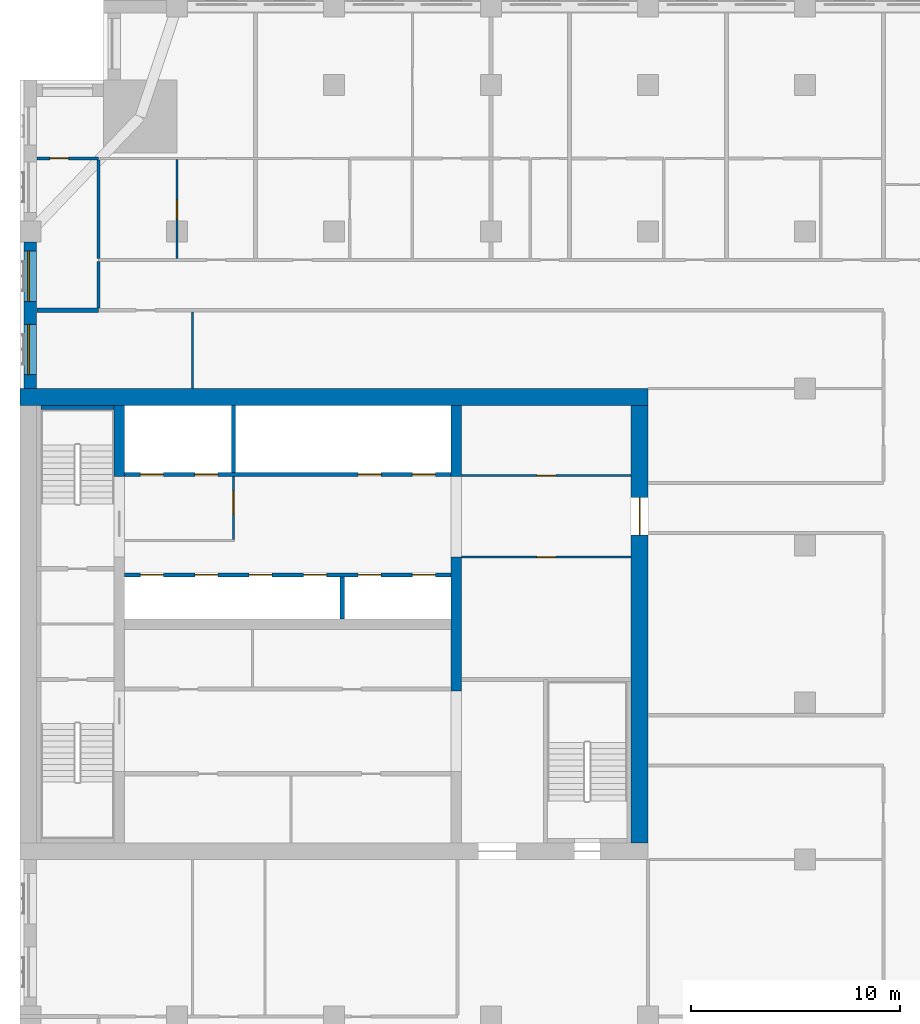
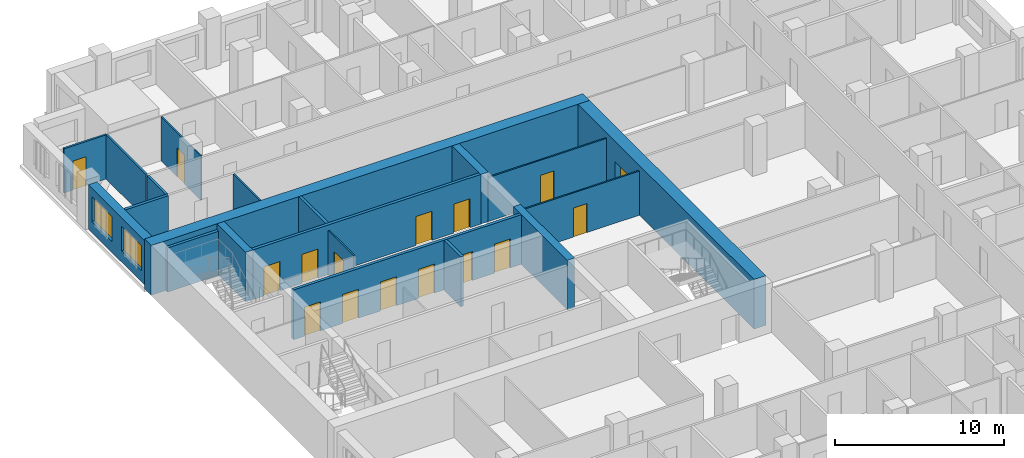
# One storey, part 8 of 14: 20 walls, 16 doors, 2 windows, 18 openings.
"""IFC4 building model written with IfcOpenShell, lengths in metres."""

from ifc_helpers import new_model, si_unit, direction, frame, frame_2d, origin, place, context, subcontext, project, spatial, rectangle, extrude, material, layer, layer_set, type_object, element, fill, save


model = new_model("IFC4")

# Units and contexts
model_context = context("Model", 3, precision=1e-05, world=origin(), true_north=direction((0.0, 1.0)))
body_context = subcontext(model_context, "Body", "Model", "MODEL_VIEW")
ifc_project = project(units=[si_unit("LENGTHUNIT", "METRE"), si_unit("AREAUNIT", "SQUARE_METRE"), si_unit("VOLUMEUNIT", "CUBIC_METRE"), si_unit("PLANEANGLEUNIT", "RADIAN"), si_unit("MASSUNIT", "GRAM", prefix="KILO")], contexts=[model_context])

# Site, building, storey
site_placement = place(None, origin())
site = spatial("IfcSite", under=ifc_project, at=site_placement, CompositionType="ELEMENT")
building_placement = place(site_placement, origin())
building = spatial("IfcBuilding", under=site, at=building_placement, Name="Tamorin Gate", CompositionType="ELEMENT")
storey_placement = place(building_placement, frame((0.0, 0.0, 162.60009765625)))
storey = spatial("IfcBuildingStorey", under=building, at=storey_placement, Name="L40", CompositionType="ELEMENT", Elevation=162.60009765625)

# Wall, openings, windows
ifc_material_1 = material(Name="Precast concrete C40/50", Category="concrete")
ifc_layer_1 = layer(ifc_material_1, 0.60009765625)
ifc_layer_set_1 = layer_set([ifc_layer_1], Name="Precast concrete C40/50")
wall_type_1 = type_object("IfcWallType", Name="Board-marked concrete facade panel 600", PredefinedType="SOLIDWALL", material=ifc_layer_set_1)
wall_1_placement = place(storey_placement, frame((30.5, 89.5, 0.0), z_axis=(0.0, 0.0, 1.0), x_axis=(0.0, -1.0, 0.0)))
wall_1 = element("IfcWall", 1, at=wall_1_placement, inside=storey, type_object=wall_type_1, Name="Facade panel", PredefinedType="SOLIDWALL", context=body_context, shape_type="SweptSolid", body=[
    extrude(rectangle(XDim=7.0, YDim=0.60009765625, at=frame_2d((3.5, 0.0))), origin(), (0.0, 0.0, 1.0), 3.199951171875),
])
opening_1_placement = place(wall_1_placement, frame((3.925048828125, 0.0, 0.800048828125)))
opening_1 = element("IfcOpeningElement", 2, at=opening_1_placement, cuts=wall_1, Name="Opening WN1", PredefinedType="OPENING", context=body_context, shape_type="SweptSolid", body=[
    extrude(rectangle(XDim=2.39990234375, YDim=1.800048828125, at=frame_2d((1.199951171875, 0.89990234375))), frame((0.0, 0.31005859375, 0.0), z_axis=(0.0, -1.0, 0.0), x_axis=(1.0, 0.0, 0.0)), (0.0, 0.0, 1.0), 0.6201171875),
])
opening_2_placement = place(wall_1_placement, frame((0.425048828125, 0.0, 0.800048828125)))
opening_2 = element("IfcOpeningElement", 3, at=opening_2_placement, cuts=wall_1, Name="Opening WN1", PredefinedType="OPENING", context=body_context, shape_type="SweptSolid", body=[
    extrude(rectangle(XDim=2.39990234375, YDim=1.800048828125, at=frame_2d((1.199951171875, 0.89990234375))), frame((0.0, 0.31005859375, 0.0), z_axis=(0.0, -1.0, 0.0), x_axis=(1.0, 0.0, 0.0)), (0.0, 0.0, 1.0), 0.6201171875),
])
ifc_material_2 = material(Name="Clear glass in aluminium frame", Category="aluminium")
window_type = type_object("IfcWindowType", Name="Deep-set window 2400x1800", PartitioningType="SINGLE_PANEL", PredefinedType="WINDOW", material=ifc_material_2)
window_1_placement = place(opening_1_placement, origin())
window_1 = element("IfcWindow", 4, at=window_1_placement, inside=storey, type_object=window_type, Name="Deep-set window", OverallHeight=1.800048828125, OverallWidth=2.39990234375, PartitioningType="SINGLE_PANEL", PredefinedType="WINDOW", context=body_context, shape_type="SweptSolid", body=[
    extrude(rectangle(XDim=2.39990234375, YDim=1.800048828125, at=frame_2d((1.199951171875, 0.89990234375))), frame((0.0, -0.070068359375, 0.0), z_axis=(0.0, -1.0, 0.0), x_axis=(1.0, 0.0, 0.0)), (0.0, 0.0, 1.0), 0.06005859375),
])
fill(opening_1, window_1)
window_2_placement = place(opening_2_placement, origin())
window_2 = element("IfcWindow", 5, at=window_2_placement, inside=storey, type_object=window_type, Name="Deep-set window", OverallHeight=1.800048828125, OverallWidth=2.39990234375, PartitioningType="SINGLE_PANEL", PredefinedType="WINDOW", context=body_context, shape_type="SweptSolid", body=[
    extrude(rectangle(XDim=2.39990234375, YDim=1.800048828125, at=frame_2d((1.199951171875, 0.89990234375))), frame((0.0, -0.070068359375, 0.0), z_axis=(0.0, -1.0, 0.0), x_axis=(1.0, 0.0, 0.0)), (0.0, 0.0, 1.0), 0.06005859375),
])
fill(opening_2, window_2)

# Walls
ifc_material_3 = material(Name="Gypsum board partition")
ifc_layer_2 = layer(ifc_material_3, 0.14990234375)
ifc_layer_set_2 = layer_set([ifc_layer_2], Name="Corridor wall 150")
wall_type_2 = type_object("IfcWallType", Name="Corridor wall 150", PredefinedType="PARTITIONING", material=ifc_layer_set_2)
wall_2_placement = place(storey_placement, frame((33.75, 86.35009765625, 0.0), z_axis=(0.0, 0.0, 1.0), x_axis=(0.0, 1.0, 0.0)))
element("IfcWall", 6, at=wall_2_placement, inside=storey, type_object=wall_type_2, Name="Corridor wall 150", PredefinedType="PARTITIONING", context=body_context, shape_type="SweptSolid", body=[
    extrude(rectangle(XDim=2.224853515625, YDim=0.14990234375, at=frame_2d((1.1123046875, 0.0))), origin(), (0.0, 0.0, 1.0), 3.199951171875),
])
ifc_layer_3 = layer(ifc_material_3, 0.199951171875)
ifc_layer_set_3 = layer_set([ifc_layer_3], Name="Demising wall 200")
wall_type_3 = type_object("IfcWallType", Name="Demising wall 200", PredefinedType="PARTITIONING", material=ifc_layer_set_3)
wall_3_placement = place(storey_placement, frame((30.81005859375, 86.25, 0.0), z_axis=(0.0, 0.0, 1.0), x_axis=(1.0, 0.0, 0.0)))
element("IfcWall", 7, at=wall_3_placement, inside=storey, type_object=wall_type_3, Name="Demising wall 200", PredefinedType="PARTITIONING", context=body_context, shape_type="SweptSolid", body=[
    extrude(rectangle(XDim=2.93994140625, YDim=0.199951171875, at=frame_2d((1.469970703125, 0.0))), origin(), (0.0, 0.0, 1.0), 3.199951171875),
])

# Wall, openings, doors
ifc_material_4 = material(Name="Concrete C32/40", Category="concrete")
ifc_layer_4 = layer(ifc_material_4, 0.199951171875)
ifc_layer_set_4 = layer_set([ifc_layer_4], Name="Lift lobby face wall 200 EI 120")
wall_type_4 = type_object("IfcWallType", Name="Lift lobby face wall 200 EI 120", PredefinedType="SOLIDWALL", material=ifc_layer_set_4)
wall_4_placement = place(storey_placement, frame((35.0, 73.60009765625, 0.0), z_axis=(0.0, 0.0, 1.0), x_axis=(1.0, 0.0, 0.0)))
wall_4 = element("IfcWall", 8, at=wall_4_placement, inside=storey, type_object=wall_type_4, Name="Lift lobby face wall", PredefinedType="SOLIDWALL", context=body_context, shape_type="SweptSolid", body=[
    extrude(rectangle(XDim=15.60009765625, YDim=0.199951171875, at=frame_2d((7.800048828125, 0.0))), origin(), (0.0, 0.0, 1.0), 3.599853515625),
])
opening_3_placement = place(wall_4_placement, frame((0.75, 0.0, 0.0)))
opening_3 = element("IfcOpeningElement", 9, at=opening_3_placement, cuts=wall_4, Name="Opening LD11", PredefinedType="OPENING", context=body_context, shape_type="SweptSolid", body=[
    extrude(rectangle(XDim=1.10009765625, YDim=2.10009765625, at=frame_2d((0.550048828125, 1.050048828125))), frame((0.0, 0.10986328125, 0.0), z_axis=(0.0, -1.0, 0.0), x_axis=(1.0, 0.0, 0.0)), (0.0, 0.0, 1.0), 0.219970703125),
])
opening_4_placement = place(wall_4_placement, frame((3.35009765625, 0.0, 0.0)))
opening_4 = element("IfcOpeningElement", 10, at=opening_4_placement, cuts=wall_4, Name="Opening LD12", PredefinedType="OPENING", context=body_context, shape_type="SweptSolid", body=[
    extrude(rectangle(XDim=1.10009765625, YDim=2.10009765625, at=frame_2d((0.550048828125, 1.050048828125))), frame((0.0, 0.10986328125, 0.0), z_axis=(0.0, -1.0, 0.0), x_axis=(1.0, 0.0, 0.0)), (0.0, 0.0, 1.0), 0.219970703125),
])
opening_5_placement = place(wall_4_placement, frame((5.949951171875, 0.0, 0.0)))
opening_5 = element("IfcOpeningElement", 11, at=opening_5_placement, cuts=wall_4, Name="Opening LD13", PredefinedType="OPENING", context=body_context, shape_type="SweptSolid", body=[
    extrude(rectangle(XDim=1.10009765625, YDim=2.10009765625, at=frame_2d((0.550048828125, 1.050048828125))), frame((0.0, 0.10986328125, 0.0), z_axis=(0.0, -1.0, 0.0), x_axis=(1.0, 0.0, 0.0)), (0.0, 0.0, 1.0), 0.219970703125),
])
opening_6_placement = place(wall_4_placement, frame((8.550048828125, 0.0, 0.0)))
opening_6 = element("IfcOpeningElement", 12, at=opening_6_placement, cuts=wall_4, Name="Opening LD14", PredefinedType="OPENING", context=body_context, shape_type="SweptSolid", body=[
    extrude(rectangle(XDim=1.10009765625, YDim=2.10009765625, at=frame_2d((0.550048828125, 1.050048828125))), frame((0.0, 0.10986328125, 0.0), z_axis=(0.0, -1.0, 0.0), x_axis=(1.0, 0.0, 0.0)), (0.0, 0.0, 1.0), 0.219970703125),
])
opening_7_placement = place(wall_4_placement, frame((11.14990234375, 0.0, 0.0)))
opening_7 = element("IfcOpeningElement", 13, at=opening_7_placement, cuts=wall_4, Name="Opening LD15", PredefinedType="OPENING", context=body_context, shape_type="SweptSolid", body=[
    extrude(rectangle(XDim=1.10009765625, YDim=2.10009765625, at=frame_2d((0.550048828125, 1.050048828125))), frame((0.0, 0.10986328125, 0.0), z_axis=(0.0, -1.0, 0.0), x_axis=(1.0, 0.0, 0.0)), (0.0, 0.0, 1.0), 0.219970703125),
])
opening_8_placement = place(wall_4_placement, frame((13.75, 0.0, 0.0)))
opening_8 = element("IfcOpeningElement", 14, at=opening_8_placement, cuts=wall_4, Name="Opening LD16", PredefinedType="OPENING", context=body_context, shape_type="SweptSolid", body=[
    extrude(rectangle(XDim=1.10009765625, YDim=2.10009765625, at=frame_2d((0.550048828125, 1.050048828125))), frame((0.0, 0.10986328125, 0.0), z_axis=(0.0, -1.0, 0.0), x_axis=(1.0, 0.0, 0.0)), (0.0, 0.0, 1.0), 0.219970703125),
])
ifc_material_5 = material(Name="Stainless steel sliding door", Category="steel")
door_type_1 = type_object("IfcDoorType", Name="Lift landing door 1100 x 2100 E 90", OperationType="DOUBLE_DOOR_SLIDING", PredefinedType="DOOR", material=ifc_material_5)
door_1_placement = place(opening_3_placement, origin())
door_1 = element("IfcDoor", 15, at=door_1_placement, inside=storey, type_object=door_type_1, Name="HR1 landing door", OperationType="DOUBLE_DOOR_SLIDING", OverallHeight=2.10009765625, OverallWidth=1.10009765625, PredefinedType="DOOR", context=body_context, shape_type="SweptSolid", body=[
    extrude(rectangle(XDim=1.10009765625, YDim=2.10009765625, at=frame_2d((0.550048828125, 1.050048828125))), frame((0.0, 0.02490234375, 0.0), z_axis=(0.0, -1.0, 0.0), x_axis=(1.0, 0.0, 0.0)), (0.0, 0.0, 1.0), 0.050048828125),
])
fill(opening_3, door_1)
door_2_placement = place(opening_4_placement, origin())
door_2 = element("IfcDoor", 16, at=door_2_placement, inside=storey, type_object=door_type_1, Name="HR2 landing door", OperationType="DOUBLE_DOOR_SLIDING", OverallHeight=2.10009765625, OverallWidth=1.10009765625, PredefinedType="DOOR", context=body_context, shape_type="SweptSolid", body=[
    extrude(rectangle(XDim=1.10009765625, YDim=2.10009765625, at=frame_2d((0.550048828125, 1.050048828125))), frame((0.0, 0.02490234375, 0.0), z_axis=(0.0, -1.0, 0.0), x_axis=(1.0, 0.0, 0.0)), (0.0, 0.0, 1.0), 0.050048828125),
])
fill(opening_4, door_2)
door_3_placement = place(opening_5_placement, origin())
door_3 = element("IfcDoor", 17, at=door_3_placement, inside=storey, type_object=door_type_1, Name="HR3 landing door", OperationType="DOUBLE_DOOR_SLIDING", OverallHeight=2.10009765625, OverallWidth=1.10009765625, PredefinedType="DOOR", context=body_context, shape_type="SweptSolid", body=[
    extrude(rectangle(XDim=1.10009765625, YDim=2.10009765625, at=frame_2d((0.550048828125, 1.050048828125))), frame((0.0, 0.02490234375, 0.0), z_axis=(0.0, -1.0, 0.0), x_axis=(1.0, 0.0, 0.0)), (0.0, 0.0, 1.0), 0.050048828125),
])
fill(opening_5, door_3)
door_4_placement = place(opening_6_placement, origin())
door_4 = element("IfcDoor", 18, at=door_4_placement, inside=storey, type_object=door_type_1, Name="HR4 landing door", OperationType="DOUBLE_DOOR_SLIDING", OverallHeight=2.10009765625, OverallWidth=1.10009765625, PredefinedType="DOOR", context=body_context, shape_type="SweptSolid", body=[
    extrude(rectangle(XDim=1.10009765625, YDim=2.10009765625, at=frame_2d((0.550048828125, 1.050048828125))), frame((0.0, 0.02490234375, 0.0), z_axis=(0.0, -1.0, 0.0), x_axis=(1.0, 0.0, 0.0)), (0.0, 0.0, 1.0), 0.050048828125),
])
fill(opening_6, door_4)
door_5_placement = place(opening_7_placement, origin())
door_5 = element("IfcDoor", 19, at=door_5_placement, inside=storey, type_object=door_type_1, Name="HR5 landing door", OperationType="DOUBLE_DOOR_SLIDING", OverallHeight=2.10009765625, OverallWidth=1.10009765625, PredefinedType="DOOR", context=body_context, shape_type="SweptSolid", body=[
    extrude(rectangle(XDim=1.10009765625, YDim=2.10009765625, at=frame_2d((0.550048828125, 1.050048828125))), frame((0.0, 0.02490234375, 0.0), z_axis=(0.0, -1.0, 0.0), x_axis=(1.0, 0.0, 0.0)), (0.0, 0.0, 1.0), 0.050048828125),
])
fill(opening_7, door_5)
door_6_placement = place(opening_8_placement, origin())
door_6 = element("IfcDoor", 20, at=door_6_placement, inside=storey, type_object=door_type_1, Name="HR6 landing door", OperationType="DOUBLE_DOOR_SLIDING", OverallHeight=2.10009765625, OverallWidth=1.10009765625, PredefinedType="DOOR", context=body_context, shape_type="SweptSolid", body=[
    extrude(rectangle(XDim=1.10009765625, YDim=2.10009765625, at=frame_2d((0.550048828125, 1.050048828125))), frame((0.0, 0.02490234375, 0.0), z_axis=(0.0, -1.0, 0.0), x_axis=(1.0, 0.0, 0.0)), (0.0, 0.0, 1.0), 0.050048828125),
])
fill(opening_8, door_6)

wall_5_placement = place(storey_placement, frame((35.0, 78.39990234375, 0.0), z_axis=(0.0, 0.0, 1.0), x_axis=(1.0, 0.0, 0.0)))
wall_5 = element("IfcWall", 21, at=wall_5_placement, inside=storey, type_object=wall_type_4, Name="Lift lobby face wall", PredefinedType="SOLIDWALL", context=body_context, shape_type="SweptSolid", body=[
    extrude(rectangle(XDim=15.60009765625, YDim=0.199951171875, at=frame_2d((7.800048828125, 0.0))), origin(), (0.0, 0.0, 1.0), 3.599853515625),
])
opening_9_placement = place(wall_5_placement, frame((0.75, 0.0, 0.0)))
opening_9 = element("IfcOpeningElement", 22, at=opening_9_placement, cuts=wall_5, Name="Opening LD17", PredefinedType="OPENING", context=body_context, shape_type="SweptSolid", body=[
    extrude(rectangle(XDim=1.10009765625, YDim=2.10009765625, at=frame_2d((0.550048828125, 1.050048828125))), frame((0.0, 0.10986328125, 0.0), z_axis=(0.0, -1.0, 0.0), x_axis=(1.0, 0.0, 0.0)), (0.0, 0.0, 1.0), 0.219970703125),
])
opening_10_placement = place(wall_5_placement, frame((3.35009765625, 0.0, 0.0)))
opening_10 = element("IfcOpeningElement", 23, at=opening_10_placement, cuts=wall_5, Name="Opening LD18", PredefinedType="OPENING", context=body_context, shape_type="SweptSolid", body=[
    extrude(rectangle(XDim=1.10009765625, YDim=2.10009765625, at=frame_2d((0.550048828125, 1.050048828125))), frame((0.0, 0.10986328125, 0.0), z_axis=(0.0, -1.0, 0.0), x_axis=(1.0, 0.0, 0.0)), (0.0, 0.0, 1.0), 0.219970703125),
])
opening_11_placement = place(wall_5_placement, frame((11.14990234375, 0.0, 0.0)))
opening_11 = element("IfcOpeningElement", 24, at=opening_11_placement, cuts=wall_5, Name="Opening LD21", PredefinedType="OPENING", context=body_context, shape_type="SweptSolid", body=[
    extrude(rectangle(XDim=1.10009765625, YDim=2.10009765625, at=frame_2d((0.550048828125, 1.050048828125))), frame((0.0, 0.10986328125, 0.0), z_axis=(0.0, -1.0, 0.0), x_axis=(1.0, 0.0, 0.0)), (0.0, 0.0, 1.0), 0.219970703125),
])
opening_12_placement = place(wall_5_placement, frame((13.75, 0.0, 0.0)))
opening_12 = element("IfcOpeningElement", 25, at=opening_12_placement, cuts=wall_5, Name="Opening LD22", PredefinedType="OPENING", context=body_context, shape_type="SweptSolid", body=[
    extrude(rectangle(XDim=1.10009765625, YDim=2.10009765625, at=frame_2d((0.550048828125, 1.050048828125))), frame((0.0, 0.10986328125, 0.0), z_axis=(0.0, -1.0, 0.0), x_axis=(1.0, 0.0, 0.0)), (0.0, 0.0, 1.0), 0.219970703125),
])
door_7_placement = place(opening_9_placement, origin())
door_7 = element("IfcDoor", 26, at=door_7_placement, inside=storey, type_object=door_type_1, Name="FF1 landing door", OperationType="DOUBLE_DOOR_SLIDING", OverallHeight=2.10009765625, OverallWidth=1.10009765625, PredefinedType="DOOR", context=body_context, shape_type="SweptSolid", body=[
    extrude(rectangle(XDim=1.10009765625, YDim=2.10009765625, at=frame_2d((0.550048828125, 1.050048828125))), frame((0.0, 0.02490234375, 0.0), z_axis=(0.0, -1.0, 0.0), x_axis=(1.0, 0.0, 0.0)), (0.0, 0.0, 1.0), 0.050048828125),
])
fill(opening_9, door_7)
door_8_placement = place(opening_10_placement, origin())
door_8 = element("IfcDoor", 27, at=door_8_placement, inside=storey, type_object=door_type_1, Name="FF2 landing door", OperationType="DOUBLE_DOOR_SLIDING", OverallHeight=2.10009765625, OverallWidth=1.10009765625, PredefinedType="DOOR", context=body_context, shape_type="SweptSolid", body=[
    extrude(rectangle(XDim=1.10009765625, YDim=2.10009765625, at=frame_2d((0.550048828125, 1.050048828125))), frame((0.0, 0.02490234375, 0.0), z_axis=(0.0, -1.0, 0.0), x_axis=(1.0, 0.0, 0.0)), (0.0, 0.0, 1.0), 0.050048828125),
])
fill(opening_10, door_8)
door_9_placement = place(opening_11_placement, origin())
door_9 = element("IfcDoor", 28, at=door_9_placement, inside=storey, type_object=door_type_1, Name="SV1 landing door", OperationType="DOUBLE_DOOR_SLIDING", OverallHeight=2.10009765625, OverallWidth=1.10009765625, PredefinedType="DOOR", context=body_context, shape_type="SweptSolid", body=[
    extrude(rectangle(XDim=1.10009765625, YDim=2.10009765625, at=frame_2d((0.550048828125, 1.050048828125))), frame((0.0, 0.02490234375, 0.0), z_axis=(0.0, -1.0, 0.0), x_axis=(1.0, 0.0, 0.0)), (0.0, 0.0, 1.0), 0.050048828125),
])
fill(opening_11, door_9)
door_10_placement = place(opening_12_placement, origin())
door_10 = element("IfcDoor", 29, at=door_10_placement, inside=storey, type_object=door_type_1, Name="SV2 landing door", OperationType="DOUBLE_DOOR_SLIDING", OverallHeight=2.10009765625, OverallWidth=1.10009765625, PredefinedType="DOOR", context=body_context, shape_type="SweptSolid", body=[
    extrude(rectangle(XDim=1.10009765625, YDim=2.10009765625, at=frame_2d((0.550048828125, 1.050048828125))), frame((0.0, 0.02490234375, 0.0), z_axis=(0.0, -1.0, 0.0), x_axis=(1.0, 0.0, 0.0)), (0.0, 0.0, 1.0), 0.050048828125),
])
fill(opening_12, door_10)

# Walls
ifc_layer_5 = layer(ifc_material_4, 0.199951171875)
ifc_layer_set_5 = layer_set([ifc_layer_5], Name="Lift shaft wall 200 EI 120")
wall_type_5 = type_object("IfcWallType", Name="Lift shaft wall 200 EI 120", PredefinedType="SOLIDWALL", material=ifc_layer_set_5)
wall_6_placement = place(storey_placement, frame((45.39990234375, 71.5, 0.0), z_axis=(0.0, 0.0, 1.0), x_axis=(0.0, 1.0, 0.0)))
element("IfcWall", 30, at=wall_6_placement, inside=storey, type_object=wall_type_5, Name="Lift shaft wall", PredefinedType="SOLIDWALL", context=body_context, shape_type="SweptSolid", body=[
    extrude(rectangle(XDim=2.0, YDim=0.199951171875, at=frame_2d((1.0, 0.0))), origin(), (0.0, 0.0, 1.0), 3.599853515625),
])
wall_7_placement = place(storey_placement, frame((40.199951171875, 78.5, 0.0), z_axis=(0.0, 0.0, 1.0), x_axis=(0.0, 1.0, 0.0)))
element("IfcWall", 31, at=wall_7_placement, inside=storey, type_object=wall_type_5, Name="Lift shaft wall", PredefinedType="SOLIDWALL", context=body_context, shape_type="SweptSolid", body=[
    extrude(rectangle(XDim=3.199951171875, YDim=0.199951171875, at=frame_2d((1.60009765625, 0.0))), origin(), (0.0, 0.0, 1.0), 3.599853515625),
])

# Wall, opening, door
ifc_material_6 = material(Name="Fire-rated gypsum board partition")
ifc_layer_6 = layer(ifc_material_6, 0.10009765625)
ifc_layer_set_6 = layer_set([ifc_layer_6], Name="Lobby wall 100 EI 60")
wall_type_6 = type_object("IfcWallType", Name="Lobby wall 100 EI 60", PredefinedType="PARTITIONING", material=ifc_layer_set_6)
wall_8_placement = place(storey_placement, frame((40.199951171875, 75.300048828125, 0.0), z_axis=(0.0, 0.0, 1.0), x_axis=(0.0, 1.0, 0.0)))
wall_8 = element("IfcWall", 32, at=wall_8_placement, inside=storey, type_object=wall_type_6, Name="Firefighting lobby wall", PredefinedType="PARTITIONING", context=body_context, shape_type="SweptSolid", body=[
    extrude(rectangle(XDim=3.0, YDim=0.10009765625, at=frame_2d((1.5, 0.0))), origin(), (0.0, 0.0, 1.0), 3.18994140625),
])
opening_13_placement = place(wall_8_placement, frame((1.199951171875, 0.0, 0.0)))
opening_13 = element("IfcOpeningElement", 33, at=opening_13_placement, cuts=wall_8, Name="Opening DF1", PredefinedType="OPENING", context=body_context, shape_type="SweptSolid", body=[
    extrude(rectangle(XDim=1.10009765625, YDim=2.10009765625, at=frame_2d((0.550048828125, 1.050048828125))), frame((0.0, 0.06005859375, 0.0), z_axis=(0.0, -1.0, 0.0), x_axis=(1.0, 0.0, 0.0)), (0.0, 0.0, 1.0), 0.1201171875),
])
ifc_material_7 = material(Name="Steel fire door", Category="steel")
door_type_2 = type_object("IfcDoorType", Name="Firefighting lobby door 1100 x 2100 EI 90", OperationType="SINGLE_SWING_LEFT", PredefinedType="DOOR", material=ifc_material_7)
door_11_placement = place(opening_13_placement, origin())
door_11 = element("IfcDoor", 34, at=door_11_placement, inside=storey, type_object=door_type_2, Name="Firefighting lobby door", OperationType="SINGLE_SWING_LEFT", OverallHeight=2.10009765625, OverallWidth=1.10009765625, PredefinedType="DOOR", context=body_context, shape_type="SweptSolid", body=[
    extrude(rectangle(XDim=1.10009765625, YDim=2.10009765625, at=frame_2d((0.550048828125, 1.050048828125))), frame((0.0, 0.02490234375, 0.0), z_axis=(0.0, -1.0, 0.0), x_axis=(1.0, 0.0, 0.0)), (0.0, 0.0, 1.0), 0.050048828125),
])
fill(opening_13, door_11)

# Walls
ifc_material_8 = material(Name="Concrete C60/75", Category="concrete")
ifc_layer_7 = layer(ifc_material_8, 0.5)
ifc_layer_set_7 = layer_set([ifc_layer_7], Name="RC core internal wall 500 C60/75")
wall_type_7 = type_object("IfcWallType", Name="RC core internal wall 500 C60/75", PredefinedType="SHEAR", material=ifc_layer_set_7)
wall_9_placement = place(storey_placement, frame((34.75, 78.300048828125, 0.0), z_axis=(0.0, 0.0, 1.0), x_axis=(0.0, 1.0, 0.0)))
element("IfcWall", 35, at=wall_9_placement, inside=storey, type_object=wall_type_7, Name="Core cross wall L40", PredefinedType="SHEAR", context=body_context, shape_type="SweptSolid", body=[
    extrude(rectangle(XDim=3.39990234375, YDim=0.5, at=frame_2d((1.699951171875, 0.0))), origin(), (0.0, 0.0, 1.0), 3.599853515625),
])
wall_10_placement = place(storey_placement, frame((50.85009765625, 68.050048828125, 0.0), z_axis=(0.0, 0.0, 1.0), x_axis=(0.0, 1.0, 0.0)))
element("IfcWall", 36, at=wall_10_placement, inside=storey, type_object=wall_type_7, Name="Core cross wall L40", PredefinedType="SHEAR", context=body_context, shape_type="SweptSolid", body=[
    extrude(rectangle(XDim=6.39990234375, YDim=0.5, at=frame_2d((3.199951171875, 0.0))), origin(), (0.0, 0.0, 1.0), 3.599853515625),
])
wall_11_placement = place(storey_placement, frame((50.85009765625, 78.300048828125, 0.0), z_axis=(0.0, 0.0, 1.0), x_axis=(0.0, 1.0, 0.0)))
element("IfcWall", 37, at=wall_11_placement, inside=storey, type_object=wall_type_7, Name="Core cross wall L40", PredefinedType="SHEAR", context=body_context, shape_type="SweptSolid", body=[
    extrude(rectangle(XDim=3.39990234375, YDim=0.5, at=frame_2d((1.699951171875, 0.0))), origin(), (0.0, 0.0, 1.0), 3.599853515625),
])
ifc_layer_8 = layer(ifc_material_8, 0.800048828125)
ifc_layer_set_8 = layer_set([ifc_layer_8], Name="RC core wall 800 C60/75")
wall_type_8 = type_object("IfcWallType", Name="RC core wall 800 C60/75", PredefinedType="SHEAR", material=ifc_layer_set_8)
wall_12_placement = place(storey_placement, frame((30.0, 82.10009765625, 0.0), z_axis=(0.0, 0.0, 1.0), x_axis=(1.0, 0.0, 0.0)))
element("IfcWall", 38, at=wall_12_placement, inside=storey, type_object=wall_type_8, Name="Core wall L40", PredefinedType="SHEAR", context=body_context, shape_type="SweptSolid", body=[
    extrude(rectangle(XDim=30.0, YDim=0.800048828125, at=frame_2d((15.0, 0.0))), origin(), (0.0, 0.0, 1.0), 3.599853515625),
])

# Wall, opening, door
wall_13_placement = place(storey_placement, frame((59.60009765625, 60.800048828125, 0.0), z_axis=(0.0, 0.0, 1.0), x_axis=(0.0, 1.0, 0.0)))
wall_13 = element("IfcWall", 39, at=wall_13_placement, inside=storey, type_object=wall_type_8, Name="Core wall L40", PredefinedType="SHEAR", context=body_context, shape_type="SweptSolid", body=[
    extrude(rectangle(XDim=20.89990234375, YDim=0.800048828125, at=frame_2d((10.449951171875, 0.0))), origin(), (0.0, 0.0, 1.0), 3.599853515625),
])
opening_14_placement = place(wall_13_placement, frame((14.699951171875, 0.0, 0.0)))
opening_14 = element("IfcOpeningElement", 40, at=opening_14_placement, cuts=wall_13, Name="Opening DE1", PredefinedType="OPENING", context=body_context, shape_type="SweptSolid", body=[
    extrude(rectangle(XDim=1.800048828125, YDim=2.10009765625, at=frame_2d((0.89990234375, 1.050048828125))), frame((0.0, 0.409912109375, 0.0), z_axis=(0.0, -1.0, 0.0), x_axis=(1.0, 0.0, 0.0)), (0.0, 0.0, 1.0), 0.820068359375),
])
door_type_3 = type_object("IfcDoorType", Name="Lobby exit double door 1800 x 2100 EI 60", OperationType="DOUBLE_DOOR_SINGLE_SWING", PredefinedType="DOOR", material=ifc_material_7)
door_12_placement = place(opening_14_placement, origin())
door_12 = element("IfcDoor", 41, at=door_12_placement, inside=storey, type_object=door_type_3, Name="Lift lobby B exit door", OperationType="DOUBLE_DOOR_SINGLE_SWING", OverallHeight=2.10009765625, OverallWidth=1.800048828125, PredefinedType="DOOR", context=body_context, shape_type="SweptSolid", body=[
    extrude(rectangle(XDim=1.800048828125, YDim=2.10009765625, at=frame_2d((0.89990234375, 1.050048828125))), frame((0.0, 0.02490234375, 0.0), z_axis=(0.0, -1.0, 0.0), x_axis=(1.0, 0.0, 0.0)), (0.0, 0.0, 1.0), 0.050048828125),
])
fill(opening_14, door_12)

ifc_layer_9 = layer(ifc_material_3, 0.10009765625)
ifc_layer_set_9 = layer_set([ifc_layer_9], Name="Room partition 100")
wall_type_9 = type_object("IfcWallType", Name="Room partition 100", PredefinedType="PARTITIONING", material=ifc_layer_set_9)
wall_14_placement = place(storey_placement, frame((37.5, 88.72509765625, 0.0), z_axis=(0.0, 0.0, 1.0), x_axis=(0.0, 1.0, 0.0)))
wall_14 = element("IfcWall", 42, at=wall_14_placement, inside=storey, type_object=wall_type_9, Name="Room partition 100", PredefinedType="PARTITIONING", context=body_context, shape_type="SweptSolid", body=[
    extrude(rectangle(XDim=4.724853515625, YDim=0.10009765625, at=frame_2d((2.3623046875, 0.0))), origin(), (0.0, 0.0, 1.0), 3.199951171875),
])
opening_15_placement = place(wall_14_placement, frame((1.89990234375, 0.0, 0.0)))
opening_15 = element("IfcOpeningElement", 43, at=opening_15_placement, cuts=wall_14, Name="Opening DS2020", PredefinedType="OPENING", context=body_context, shape_type="SweptSolid", body=[
    extrude(rectangle(XDim=0.89990234375, YDim=2.10009765625, at=frame_2d((0.449951171875, 1.050048828125))), frame((0.0, 0.06005859375, 0.0), z_axis=(0.0, -1.0, 0.0), x_axis=(1.0, 0.0, 0.0)), (0.0, 0.0, 1.0), 0.1201171875),
])
ifc_material_9 = material(Name="Timber door leaf", Category="wood")
door_type_4 = type_object("IfcDoorType", Name="Door 900 x 2100", OperationType="NOTDEFINED", PredefinedType="DOOR", material=ifc_material_9)
door_13_placement = place(opening_15_placement, origin())
door_13 = element("IfcDoor", 44, at=door_13_placement, inside=storey, type_object=door_type_4, Name="Door DS2020", OperationType="SINGLE_SWING_RIGHT", OverallHeight=2.10009765625, OverallWidth=0.89990234375, PredefinedType="DOOR", context=body_context, shape_type="SweptSolid", body=[
    extrude(rectangle(XDim=0.89990234375, YDim=2.10009765625, at=frame_2d((0.449951171875, 1.050048828125))), frame((0.0, 0.02490234375, 0.0), z_axis=(0.0, -1.0, 0.0), x_axis=(1.0, 0.0, 0.0)), (0.0, 0.0, 1.0), 0.050048828125),
])
fill(opening_15, door_13)

# Wall
wall_15_placement = place(storey_placement, frame((38.25, 82.5, 0.0), z_axis=(0.0, 0.0, 1.0), x_axis=(0.0, 1.0, 0.0)))
element("IfcWall", 45, at=wall_15_placement, inside=storey, type_object=wall_type_9, Name="Room partition 100", PredefinedType="PARTITIONING", context=body_context, shape_type="SweptSolid", body=[
    extrude(rectangle(XDim=3.675048828125, YDim=0.10009765625, at=frame_2d((1.83740234375, 0.0))), origin(), (0.0, 0.0, 1.0), 3.199951171875),
])

# Wall, opening, door
ifc_layer_10 = layer(ifc_material_3, 0.10009765625)
ifc_layer_set_10 = layer_set([ifc_layer_10], Name="Service room partition 100 EI 60")
wall_type_10 = type_object("IfcWallType", Name="Service room partition 100 EI 60", PredefinedType="PARTITIONING", material=ifc_layer_set_10)
wall_16_placement = place(storey_placement, frame((51.10009765625, 74.449951171875, 0.0), z_axis=(0.0, 0.0, 1.0), x_axis=(1.0, 0.0, 0.0)))
wall_16 = element("IfcWall", 46, at=wall_16_placement, inside=storey, type_object=wall_type_10, Name="Service room wall", PredefinedType="PARTITIONING", context=body_context, shape_type="SweptSolid", body=[
    extrude(rectangle(XDim=8.099853515625, YDim=0.10009765625, at=frame_2d((4.0498046875, 0.0))), origin(), (0.0, 0.0, 1.0), 3.18994140625),
])
opening_16_placement = place(wall_16_placement, frame((3.60009765625, 0.0, 0.0)))
opening_16 = element("IfcOpeningElement", 47, at=opening_16_placement, cuts=wall_16, Name="Opening DR1", PredefinedType="OPENING", context=body_context, shape_type="SweptSolid", body=[
    extrude(rectangle(XDim=0.89990234375, YDim=2.10009765625, at=frame_2d((0.449951171875, 1.050048828125))), frame((0.0, 0.06005859375, 0.0), z_axis=(0.0, -1.0, 0.0), x_axis=(1.0, 0.0, 0.0)), (0.0, 0.0, 1.0), 0.1201171875),
])
door_type_5 = type_object("IfcDoorType", Name="Riser access door 900 x 2100 EI 120", OperationType="SINGLE_SWING_LEFT", PredefinedType="DOOR", material=ifc_material_7)
door_14_placement = place(opening_16_placement, origin())
door_14 = element("IfcDoor", 48, at=door_14_placement, inside=storey, type_object=door_type_5, Name="Duct riser door", OperationType="SINGLE_SWING_RIGHT", OverallHeight=2.10009765625, OverallWidth=0.89990234375, PredefinedType="DOOR", context=body_context, shape_type="SweptSolid", body=[
    extrude(rectangle(XDim=0.89990234375, YDim=2.10009765625, at=frame_2d((0.449951171875, 1.050048828125))), frame((0.0, 0.02490234375, 0.0), z_axis=(0.0, -1.0, 0.0), x_axis=(1.0, 0.0, 0.0)), (0.0, 0.0, 1.0), 0.050048828125),
])
fill(opening_16, door_14)

wall_17_placement = place(storey_placement, frame((51.10009765625, 78.35009765625, 0.0), z_axis=(0.0, 0.0, 1.0), x_axis=(1.0, 0.0, 0.0)))
wall_17 = element("IfcWall", 49, at=wall_17_placement, inside=storey, type_object=wall_type_10, Name="Service room wall", PredefinedType="PARTITIONING", context=body_context, shape_type="SweptSolid", body=[
    extrude(rectangle(XDim=8.099853515625, YDim=0.10009765625, at=frame_2d((4.0498046875, 0.0))), origin(), (0.0, 0.0, 1.0), 3.18994140625),
])
opening_17_placement = place(wall_17_placement, frame((3.60009765625, 0.0, 0.0)))
opening_17 = element("IfcOpeningElement", 50, at=opening_17_placement, cuts=wall_17, Name="Opening DK1", PredefinedType="OPENING", context=body_context, shape_type="SweptSolid", body=[
    extrude(rectangle(XDim=0.89990234375, YDim=2.10009765625, at=frame_2d((0.449951171875, 1.050048828125))), frame((0.0, 0.06005859375, 0.0), z_axis=(0.0, -1.0, 0.0), x_axis=(1.0, 0.0, 0.0)), (0.0, 0.0, 1.0), 0.1201171875),
])
ifc_material_10 = material(Name="Timber fire door", Category="wood")
door_type_6 = type_object("IfcDoorType", Name="Service room door 900 x 2100 EI 60", OperationType="SINGLE_SWING_LEFT", PredefinedType="DOOR", material=ifc_material_10)
door_15_placement = place(opening_17_placement, origin())
door_15 = element("IfcDoor", 51, at=door_15_placement, inside=storey, type_object=door_type_6, Name="Door Store", OperationType="SINGLE_SWING_RIGHT", OverallHeight=2.10009765625, OverallWidth=0.89990234375, PredefinedType="DOOR", context=body_context, shape_type="SweptSolid", body=[
    extrude(rectangle(XDim=0.89990234375, YDim=2.10009765625, at=frame_2d((0.449951171875, 1.050048828125))), frame((0.0, 0.02490234375, 0.0), z_axis=(0.0, -1.0, 0.0), x_axis=(1.0, 0.0, 0.0)), (0.0, 0.0, 1.0), 0.050048828125),
])
fill(opening_17, door_15)

# Wall
ifc_layer_11 = layer(ifc_material_8, 0.199951171875)
ifc_layer_set_11 = layer_set([ifc_layer_11], Name="Stair lining wall 200 EI 120 C60/75")
wall_type_11 = type_object("IfcWallType", Name="Stair lining wall 200 EI 120 C60/75", PredefinedType="SOLIDWALL", material=ifc_layer_set_11)
wall_18_placement = place(storey_placement, frame((31.0, 81.60009765625, 0.0), z_axis=(0.0, 0.0, 1.0), x_axis=(1.0, 0.0, 0.0)))
element("IfcWall", 52, at=wall_18_placement, inside=storey, type_object=wall_type_11, Name="Stair lining wall", PredefinedType="SOLIDWALL", context=body_context, shape_type="SweptSolid", body=[
    extrude(rectangle(XDim=3.5, YDim=0.199951171875, at=frame_2d((1.75, 0.0))), origin(), (0.0, 0.0, 1.0), 3.18994140625),
])

# Wall, opening, door
ifc_layer_12 = layer(ifc_material_3, 0.125)
ifc_layer_set_12 = layer_set([ifc_layer_12], Name="Wet wall 125")
wall_type_12 = type_object("IfcWallType", Name="Wet wall 125", PredefinedType="PARTITIONING", material=ifc_layer_set_12)
wall_19_placement = place(storey_placement, frame((30.81005859375, 93.5, 0.0), z_axis=(0.0, 0.0, 1.0), x_axis=(1.0, 0.0, 0.0)))
wall_19 = element("IfcWall", 53, at=wall_19_placement, inside=storey, type_object=wall_type_12, Name="Wet wall 125", PredefinedType="PARTITIONING", context=body_context, shape_type="SweptSolid", body=[
    extrude(rectangle(XDim=2.93994140625, YDim=0.125, at=frame_2d((1.469970703125, 0.0))), origin(), (0.0, 0.0, 1.0), 3.199951171875),
])
opening_18_placement = place(wall_19_placement, frame((0.614990234375, 0.0, 0.0)))
opening_18 = element("IfcOpeningElement", 54, at=opening_18_placement, cuts=wall_19, Name="Opening DS2019", PredefinedType="OPENING", context=body_context, shape_type="SweptSolid", body=[
    extrude(rectangle(XDim=0.89990234375, YDim=2.10009765625, at=frame_2d((0.449951171875, 1.050048828125))), frame((0.0, 0.072509765625, 0.0), z_axis=(0.0, -1.0, 0.0), x_axis=(1.0, 0.0, 0.0)), (0.0, 0.0, 1.0), 0.14501953125),
])
door_16_placement = place(opening_18_placement, origin())
door_16 = element("IfcDoor", 55, at=door_16_placement, inside=storey, type_object=door_type_4, Name="Door DS2019", OperationType="SINGLE_SWING_RIGHT", OverallHeight=2.10009765625, OverallWidth=0.89990234375, PredefinedType="DOOR", context=body_context, shape_type="SweptSolid", body=[
    extrude(rectangle(XDim=0.89990234375, YDim=2.10009765625, at=frame_2d((0.449951171875, 1.050048828125))), frame((0.0, 0.02490234375, 0.0), z_axis=(0.0, -1.0, 0.0), x_axis=(1.0, 0.0, 0.0)), (0.0, 0.0, 1.0), 0.050048828125),
])
fill(opening_18, door_16)

# Wall
wall_20_placement = place(storey_placement, frame((33.75, 88.72509765625, 0.0), z_axis=(0.0, 0.0, 1.0), x_axis=(0.0, 1.0, 0.0)))
element("IfcWall", 56, at=wall_20_placement, inside=storey, type_object=wall_type_12, Name="Wet wall 125", PredefinedType="PARTITIONING", context=body_context, shape_type="SweptSolid", body=[
    extrude(rectangle(XDim=4.71240234375, YDim=0.125, at=frame_2d((2.356201171875, 0.0))), origin(), (0.0, 0.0, 1.0), 3.199951171875),
])

save(model, "model.ifc")
